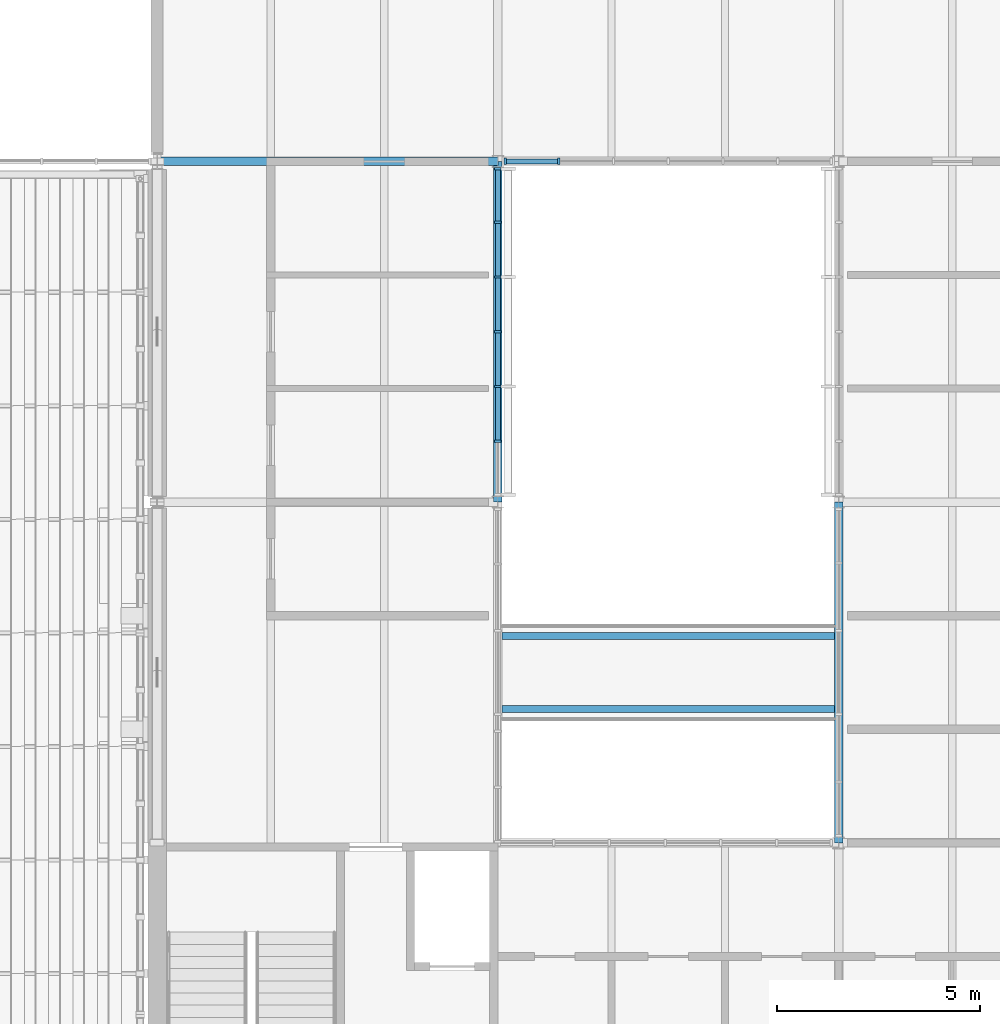
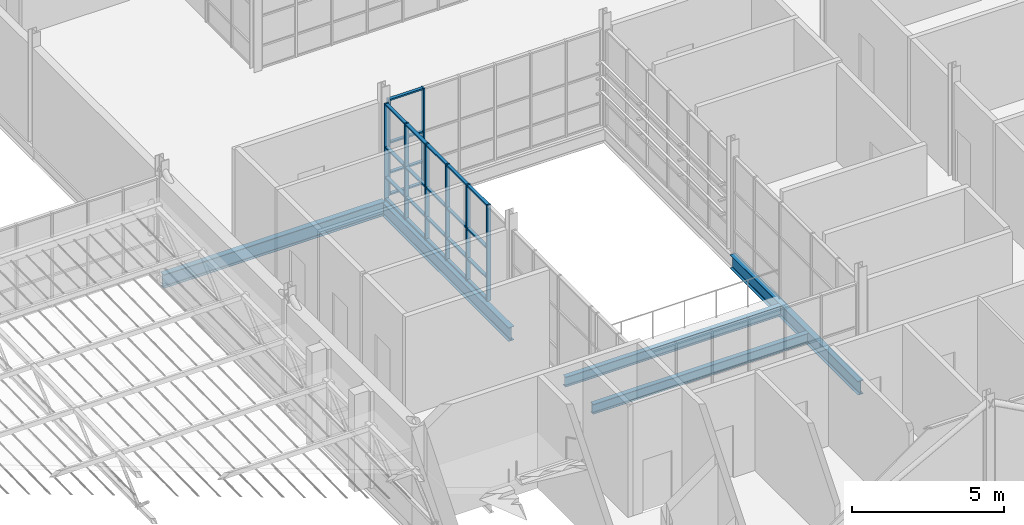
# One storey, part 40 of 129: 32 members, 5 beams, 2 elements without a shape of their own.
"""IFC4 building model written with IfcOpenShell, lengths in metres."""

from ifc_helpers import new_model, si_unit, direction, frame, origin, origin_2d, place, context, subcontext, project, spatial, rectangle, i_section, extrude, material, layer, layer_set, material_profile, profile_set, type_object, element, aggregate, save


model = new_model("IFC4")

# Units and contexts
model_context = context("Model", 3, precision=1e-05, world=origin(), true_north=direction((0.0, 1.0)))
body_context = subcontext(model_context, "Body", "Model", "MODEL_VIEW")
ifc_project = project(units=[si_unit("LENGTHUNIT", "METRE"), si_unit("AREAUNIT", "SQUARE_METRE"), si_unit("VOLUMEUNIT", "CUBIC_METRE"), si_unit("PLANEANGLEUNIT", "RADIAN"), si_unit("MASSUNIT", "GRAM", prefix="KILO")], contexts=[model_context])

# Site, building, storey
site_placement = place(None, origin())
site = spatial("IfcSite", under=ifc_project, at=site_placement, CompositionType="ELEMENT")
building_placement = place(site_placement, origin())
building = spatial("IfcBuilding", under=site, at=building_placement, Name="Ardhachandra Cancer Care Centre", CompositionType="ELEMENT")
storey_placement = place(building_placement, frame((0.0, 0.0, 4.5)))
storey = spatial("IfcBuildingStorey", under=building, at=storey_placement, Name="L01", CompositionType="ELEMENT", Elevation=4.5)

# Beams
ifc_material_1 = material(Name="Steel E350 (IS 2062)", Category="steel")
ifc_material_profile_1 = material_profile(ifc_material_1, i_section(OverallWidth=0.2099609375, OverallDepth=0.550048828125, WebThickness=0.010986328125, FlangeThickness=0.01708984375, FilletRadius=0.02392578125, at=origin_2d()), Name="NPB 550x210x105.52")
ifc_profile_set_1 = profile_set([ifc_material_profile_1], Name="Steel E350 (IS 2062)")
beam_type_1 = type_object("IfcBeamType", Name="Beam NPB 550x210x105.52", PredefinedType="BEAM", material=ifc_profile_set_1)
beam_1_placement = place(storey_placement, frame((111.60009765625, 54.60009765625, -0.425048828125), z_axis=(1.0, 0.0, 0.0), x_axis=(0.0, 1.0, 0.0)))
element("IfcBeam", 1, at=beam_1_placement, inside=storey, type_object=beam_type_1, Name="Girder F13-F14", PredefinedType="BEAM", context=body_context, shape_type="SweptSolid", body=[
    extrude(i_section(OverallWidth=0.2099609375, OverallDepth=0.550048828125, WebThickness=0.010986328125, FlangeThickness=0.01708984375, FilletRadius=0.02392578125, at=origin_2d()), origin(), (0.0, 0.0, 1.0), 8.39990234375),
])
beam_2_placement = place(storey_placement, frame((120.0, 46.199951171875, -0.425048828125), z_axis=(0.0, 1.0, 0.0), x_axis=(-1.0, 0.0, 0.0)))
element("IfcBeam", 2, at=beam_2_placement, inside=storey, type_object=beam_type_1, Name="Girder E14-F14", PredefinedType="BEAM", context=body_context, shape_type="SweptSolid", body=[
    extrude(i_section(OverallWidth=0.2099609375, OverallDepth=0.550048828125, WebThickness=0.010986328125, FlangeThickness=0.01708984375, FilletRadius=0.02392578125, at=origin_2d()), origin(), (0.0, 0.0, 1.0), 8.400146484375),
])
beam_3_placement = place(storey_placement, frame((128.39990234375, 37.800048828125, -0.425048828125), z_axis=(0.0, 1.0, 0.0), x_axis=(-1.0, 0.0, 0.0)))
element("IfcBeam", 3, at=beam_3_placement, inside=storey, type_object=beam_type_1, Name="Girder D15-E15", PredefinedType="BEAM", context=body_context, shape_type="SweptSolid", body=[
    extrude(i_section(OverallWidth=0.2099609375, OverallDepth=0.550048828125, WebThickness=0.010986328125, FlangeThickness=0.01708984375, FilletRadius=0.02392578125, at=origin_2d()), origin(), (0.0, 0.0, 1.0), 8.39990234375),
])
ifc_material_2 = material(Name="Steel E350 (IS 2062)", Category="steel")
ifc_material_profile_2 = material_profile(ifc_material_2, i_section(OverallWidth=0.179931640625, OverallDepth=0.39990234375, WebThickness=0.008544921875, FlangeThickness=0.013427734375, FilletRadius=0.02099609375, at=origin_2d()), Name="NPB 400x180x66.30")
ifc_profile_set_2 = profile_set([ifc_material_profile_2], Name="Steel E350 (IS 2062)")
beam_type_2 = type_object("IfcBeamType", Name="Bridge beam NPB 400x180x66.30", PredefinedType="BEAM", material=ifc_profile_set_2)
for number, where, z_axis, x_axis, name in (
    (4, (120.10498046875, 41.10009765625, -0.35009765625), (1.0, 0.0, 0.0), (0.0, 1.0, 0.0), "Bridge beam BR-LC1-L01 south"),
    (5, (120.10498046875, 42.89990234375, -0.35009765625), (1.0, 0.0, 0.0), (0.0, 1.0, 0.0), "Bridge beam BR-LC1-L01 north"),
):
    element("IfcBeam", number, at=place(storey_placement, frame(where, z_axis=z_axis, x_axis=x_axis)), inside=storey, type_object=beam_type_2, Name=name, PredefinedType="BEAM", context=body_context, shape_type="SweptSolid", body=[
        extrude(i_section(OverallWidth=0.179931640625, OverallDepth=0.39990234375, WebThickness=0.008544921875, FlangeThickness=0.013427734375, FilletRadius=0.02099609375, at=origin_2d()), origin(), (0.0, 0.0, 1.0), 8.18994140625),
    ])

# Curtain wall, members
ifc_material_3 = material(Name="Aluminium extrusion", Category="aluminium")
ifc_layer = layer(ifc_material_3, 0.14990234375)
ifc_layer_set = layer_set([ifc_layer], Name="Aluminium extrusion")
curtain_wall_type = type_object("IfcCurtainWallType", Name="Curtain wall run", PredefinedType="NOTDEFINED", material=ifc_layer_set)
curtain_wall_1_placement = place(storey_placement, origin())
curtain_wall_1 = element("IfcCurtainWall", 6, at=curtain_wall_1_placement, inside=storey, type_object=curtain_wall_type, Name="Curtain wall L01 e/0120000_0046200", PredefinedType="NOTDEFINED")
ifc_material_4 = material(Name="Aluminium extrusion", Category="aluminium")
ifc_material_profile_3 = material_profile(ifc_material_4, rectangle(XDim=0.159912109375, YDim=0.06005859375, at=origin_2d()), Name="Curtain wall mullion 60 x 160")
ifc_profile_set_3 = profile_set([ifc_material_profile_3], Name="Aluminium extrusion")
member_type_1 = type_object("IfcMemberType", Name="Curtain wall mullion 60 x 160", PredefinedType="MULLION", material=ifc_profile_set_3)
member_1_placement = place(storey_placement, frame((120.0, 47.699951171875, 0.0), z_axis=(0.0, 0.0, 1.0), x_axis=(-1.0, 0.0, 0.0)))
member_1 = element("IfcMember", 7, at=member_1_placement, type_object=member_type_1, Name="CW mullion 2", PredefinedType="MULLION", context=body_context, shape_type="SweptSolid", body=[
    extrude(rectangle(XDim=0.159912109375, YDim=0.06005859375, at=origin_2d()), origin(), (0.0, 0.0, 1.0), 3.85009765625),
])
member_2_placement = place(storey_placement, frame((120.0, 49.050048828125, 0.0), z_axis=(0.0, 0.0, 1.0), x_axis=(-1.0, 0.0, 0.0)))
member_2 = element("IfcMember", 8, at=member_2_placement, type_object=member_type_1, Name="CW mullion 3", PredefinedType="MULLION", context=body_context, shape_type="SweptSolid", body=[
    extrude(rectangle(XDim=0.159912109375, YDim=0.06005859375, at=origin_2d()), origin(), (0.0, 0.0, 1.0), 3.85009765625),
])
member_3_placement = place(storey_placement, frame((120.0, 50.39990234375, 0.0), z_axis=(0.0, 0.0, 1.0), x_axis=(-1.0, 0.0, 0.0)))
member_3 = element("IfcMember", 9, at=member_3_placement, type_object=member_type_1, Name="CW mullion 4", PredefinedType="MULLION", context=body_context, shape_type="SweptSolid", body=[
    extrude(rectangle(XDim=0.159912109375, YDim=0.06005859375, at=origin_2d()), origin(), (0.0, 0.0, 1.0), 3.85009765625),
])
member_4_placement = place(storey_placement, frame((120.0, 51.75, 0.0), z_axis=(0.0, 0.0, 1.0), x_axis=(-1.0, 0.0, 0.0)))
member_4 = element("IfcMember", 10, at=member_4_placement, type_object=member_type_1, Name="CW mullion 5", PredefinedType="MULLION", context=body_context, shape_type="SweptSolid", body=[
    extrude(rectangle(XDim=0.159912109375, YDim=0.06005859375, at=origin_2d()), origin(), (0.0, 0.0, 1.0), 3.85009765625),
])
member_5_placement = place(storey_placement, frame((120.0, 53.10009765625, 0.0), z_axis=(0.0, 0.0, 1.0), x_axis=(-1.0, 0.0, 0.0)))
member_5 = element("IfcMember", 11, at=member_5_placement, type_object=member_type_1, Name="CW mullion 6", PredefinedType="MULLION", context=body_context, shape_type="SweptSolid", body=[
    extrude(rectangle(XDim=0.159912109375, YDim=0.06005859375, at=origin_2d()), origin(), (0.0, 0.0, 1.0), 3.85009765625),
])
member_6_placement = place(storey_placement, frame((120.0, 54.419921875, 0.0), z_axis=(0.0, 0.0, 1.0), x_axis=(-1.0, 0.0, 0.0)))
member_6 = element("IfcMember", 12, at=member_6_placement, type_object=member_type_1, Name="CW mullion 7", PredefinedType="MULLION", context=body_context, shape_type="SweptSolid", body=[
    extrude(rectangle(XDim=0.159912109375, YDim=0.06005859375, at=origin_2d()), origin(), (0.0, 0.0, 1.0), 3.85009765625),
])

curtain_wall_2_placement = place(storey_placement, origin())
curtain_wall_2 = element("IfcCurtainWall", 13, at=curtain_wall_2_placement, inside=storey, type_object=curtain_wall_type, Name="Curtain wall L01 s/0120000_0054600", PredefinedType="NOTDEFINED")
member_7_placement = place(storey_placement, frame((120.179931640625, 54.60009765625, 0.0), z_axis=(0.0, 0.0, 1.0), x_axis=(0.0, 1.0, 0.0)))
member_7 = element("IfcMember", 14, at=member_7_placement, type_object=member_type_1, Name="CW mullion 1", PredefinedType="MULLION", context=body_context, shape_type="SweptSolid", body=[
    extrude(rectangle(XDim=0.159912109375, YDim=0.06005859375, at=origin_2d()), origin(), (0.0, 0.0, 1.0), 3.85009765625),
])
member_8_placement = place(storey_placement, frame((121.5, 54.60009765625, 0.0), z_axis=(0.0, 0.0, 1.0), x_axis=(0.0, 1.0, 0.0)))
member_8 = element("IfcMember", 15, at=member_8_placement, type_object=member_type_1, Name="CW mullion 2", PredefinedType="MULLION", context=body_context, shape_type="SweptSolid", body=[
    extrude(rectangle(XDim=0.159912109375, YDim=0.06005859375, at=origin_2d()), origin(), (0.0, 0.0, 1.0), 3.85009765625),
])

# Member
ifc_material_5 = material(Name="Aluminium extrusion", Category="aluminium")
ifc_material_profile_4 = material_profile(ifc_material_5, rectangle(XDim=0.1201171875, YDim=0.06005859375, at=origin_2d()), Name="Curtain wall transom 60 x 120")
ifc_profile_set_4 = profile_set([ifc_material_profile_4], Name="Aluminium extrusion")
member_type_2 = type_object("IfcMemberType", Name="Curtain wall transom 60 x 120", PredefinedType="USERDEFINED", material=ifc_profile_set_4)
member_9_placement = place(storey_placement, frame((120.0, 47.72998046875, 0.030029296875), z_axis=(0.0, 1.0, 0.0), x_axis=(-1.0, 0.0, 0.0)))
member_9 = element("IfcMember", 16, at=member_9_placement, type_object=member_type_2, Name="CW transom 2.1", ObjectType="TRANSOM", PredefinedType="USERDEFINED", context=body_context, shape_type="SweptSolid", body=[
    extrude(rectangle(XDim=0.1201171875, YDim=0.06005859375, at=origin_2d()), origin(), (0.0, 0.0, 1.0), 1.2900390625),
])

member_10_placement = place(storey_placement, frame((120.0, 47.72998046875, 0.89990234375), z_axis=(0.0, 1.0, 0.0), x_axis=(-1.0, 0.0, 0.0)))
member_10 = element("IfcMember", 17, at=member_10_placement, type_object=member_type_2, Name="CW transom 2.2", ObjectType="TRANSOM", PredefinedType="USERDEFINED", context=body_context, shape_type="SweptSolid", body=[
    extrude(rectangle(XDim=0.1201171875, YDim=0.06005859375, at=origin_2d()), origin(), (0.0, 0.0, 1.0), 1.2900390625),
])

member_11_placement = place(storey_placement, frame((120.0, 47.72998046875, 2.10009765625), z_axis=(0.0, 1.0, 0.0), x_axis=(-1.0, 0.0, 0.0)))
member_11 = element("IfcMember", 18, at=member_11_placement, type_object=member_type_2, Name="CW transom 2.3", ObjectType="TRANSOM", PredefinedType="USERDEFINED", context=body_context, shape_type="SweptSolid", body=[
    extrude(rectangle(XDim=0.1201171875, YDim=0.06005859375, at=origin_2d()), origin(), (0.0, 0.0, 1.0), 1.2900390625),
])

member_12_placement = place(storey_placement, frame((120.0, 47.72998046875, 3.820068359375), z_axis=(0.0, 1.0, 0.0), x_axis=(-1.0, 0.0, 0.0)))
member_12 = element("IfcMember", 19, at=member_12_placement, type_object=member_type_2, Name="CW transom 2.4", ObjectType="TRANSOM", PredefinedType="USERDEFINED", context=body_context, shape_type="SweptSolid", body=[
    extrude(rectangle(XDim=0.1201171875, YDim=0.06005859375, at=origin_2d()), origin(), (0.0, 0.0, 1.0), 1.2900390625),
])

member_13_placement = place(storey_placement, frame((120.0, 49.080078125, 0.030029296875), z_axis=(0.0, 1.0, 0.0), x_axis=(-1.0, 0.0, 0.0)))
member_13 = element("IfcMember", 20, at=member_13_placement, type_object=member_type_2, Name="CW transom 3.1", ObjectType="TRANSOM", PredefinedType="USERDEFINED", context=body_context, shape_type="SweptSolid", body=[
    extrude(rectangle(XDim=0.1201171875, YDim=0.06005859375, at=origin_2d()), origin(), (0.0, 0.0, 1.0), 1.2900390625),
])

member_14_placement = place(storey_placement, frame((120.0, 49.080078125, 0.89990234375), z_axis=(0.0, 1.0, 0.0), x_axis=(-1.0, 0.0, 0.0)))
member_14 = element("IfcMember", 21, at=member_14_placement, type_object=member_type_2, Name="CW transom 3.2", ObjectType="TRANSOM", PredefinedType="USERDEFINED", context=body_context, shape_type="SweptSolid", body=[
    extrude(rectangle(XDim=0.1201171875, YDim=0.06005859375, at=origin_2d()), origin(), (0.0, 0.0, 1.0), 1.2900390625),
])

member_15_placement = place(storey_placement, frame((120.0, 49.080078125, 2.10009765625), z_axis=(0.0, 1.0, 0.0), x_axis=(-1.0, 0.0, 0.0)))
member_15 = element("IfcMember", 22, at=member_15_placement, type_object=member_type_2, Name="CW transom 3.3", ObjectType="TRANSOM", PredefinedType="USERDEFINED", context=body_context, shape_type="SweptSolid", body=[
    extrude(rectangle(XDim=0.1201171875, YDim=0.06005859375, at=origin_2d()), origin(), (0.0, 0.0, 1.0), 1.2900390625),
])

member_16_placement = place(storey_placement, frame((120.0, 49.080078125, 3.820068359375), z_axis=(0.0, 1.0, 0.0), x_axis=(-1.0, 0.0, 0.0)))
member_16 = element("IfcMember", 23, at=member_16_placement, type_object=member_type_2, Name="CW transom 3.4", ObjectType="TRANSOM", PredefinedType="USERDEFINED", context=body_context, shape_type="SweptSolid", body=[
    extrude(rectangle(XDim=0.1201171875, YDim=0.06005859375, at=origin_2d()), origin(), (0.0, 0.0, 1.0), 1.2900390625),
])

member_17_placement = place(storey_placement, frame((120.0, 50.429931640625, 0.030029296875), z_axis=(0.0, 1.0, 0.0), x_axis=(-1.0, 0.0, 0.0)))
member_17 = element("IfcMember", 24, at=member_17_placement, type_object=member_type_2, Name="CW transom 4.1", ObjectType="TRANSOM", PredefinedType="USERDEFINED", context=body_context, shape_type="SweptSolid", body=[
    extrude(rectangle(XDim=0.1201171875, YDim=0.06005859375, at=origin_2d()), origin(), (0.0, 0.0, 1.0), 1.2900390625),
])

member_18_placement = place(storey_placement, frame((120.0, 50.429931640625, 0.89990234375), z_axis=(0.0, 1.0, 0.0), x_axis=(-1.0, 0.0, 0.0)))
member_18 = element("IfcMember", 25, at=member_18_placement, type_object=member_type_2, Name="CW transom 4.2", ObjectType="TRANSOM", PredefinedType="USERDEFINED", context=body_context, shape_type="SweptSolid", body=[
    extrude(rectangle(XDim=0.1201171875, YDim=0.06005859375, at=origin_2d()), origin(), (0.0, 0.0, 1.0), 1.2900390625),
])

member_19_placement = place(storey_placement, frame((120.0, 50.429931640625, 2.10009765625), z_axis=(0.0, 1.0, 0.0), x_axis=(-1.0, 0.0, 0.0)))
member_19 = element("IfcMember", 26, at=member_19_placement, type_object=member_type_2, Name="CW transom 4.3", ObjectType="TRANSOM", PredefinedType="USERDEFINED", context=body_context, shape_type="SweptSolid", body=[
    extrude(rectangle(XDim=0.1201171875, YDim=0.06005859375, at=origin_2d()), origin(), (0.0, 0.0, 1.0), 1.2900390625),
])

member_20_placement = place(storey_placement, frame((120.0, 50.429931640625, 3.820068359375), z_axis=(0.0, 1.0, 0.0), x_axis=(-1.0, 0.0, 0.0)))
member_20 = element("IfcMember", 27, at=member_20_placement, type_object=member_type_2, Name="CW transom 4.4", ObjectType="TRANSOM", PredefinedType="USERDEFINED", context=body_context, shape_type="SweptSolid", body=[
    extrude(rectangle(XDim=0.1201171875, YDim=0.06005859375, at=origin_2d()), origin(), (0.0, 0.0, 1.0), 1.2900390625),
])

member_21_placement = place(storey_placement, frame((120.0, 51.780029296875, 0.030029296875), z_axis=(0.0, 1.0, 0.0), x_axis=(-1.0, 0.0, 0.0)))
member_21 = element("IfcMember", 28, at=member_21_placement, type_object=member_type_2, Name="CW transom 5.1", ObjectType="TRANSOM", PredefinedType="USERDEFINED", context=body_context, shape_type="SweptSolid", body=[
    extrude(rectangle(XDim=0.1201171875, YDim=0.06005859375, at=origin_2d()), origin(), (0.0, 0.0, 1.0), 1.2900390625),
])

member_22_placement = place(storey_placement, frame((120.0, 51.780029296875, 0.89990234375), z_axis=(0.0, 1.0, 0.0), x_axis=(-1.0, 0.0, 0.0)))
member_22 = element("IfcMember", 29, at=member_22_placement, type_object=member_type_2, Name="CW transom 5.2", ObjectType="TRANSOM", PredefinedType="USERDEFINED", context=body_context, shape_type="SweptSolid", body=[
    extrude(rectangle(XDim=0.1201171875, YDim=0.06005859375, at=origin_2d()), origin(), (0.0, 0.0, 1.0), 1.2900390625),
])

member_23_placement = place(storey_placement, frame((120.0, 51.780029296875, 2.10009765625), z_axis=(0.0, 1.0, 0.0), x_axis=(-1.0, 0.0, 0.0)))
member_23 = element("IfcMember", 30, at=member_23_placement, type_object=member_type_2, Name="CW transom 5.3", ObjectType="TRANSOM", PredefinedType="USERDEFINED", context=body_context, shape_type="SweptSolid", body=[
    extrude(rectangle(XDim=0.1201171875, YDim=0.06005859375, at=origin_2d()), origin(), (0.0, 0.0, 1.0), 1.2900390625),
])

member_24_placement = place(storey_placement, frame((120.0, 51.780029296875, 3.820068359375), z_axis=(0.0, 1.0, 0.0), x_axis=(-1.0, 0.0, 0.0)))
member_24 = element("IfcMember", 31, at=member_24_placement, type_object=member_type_2, Name="CW transom 5.4", ObjectType="TRANSOM", PredefinedType="USERDEFINED", context=body_context, shape_type="SweptSolid", body=[
    extrude(rectangle(XDim=0.1201171875, YDim=0.06005859375, at=origin_2d()), origin(), (0.0, 0.0, 1.0), 1.2900390625),
])

member_25_placement = place(storey_placement, frame((120.0, 53.1298828125, 0.030029296875), z_axis=(0.0, 1.0, 0.0), x_axis=(-1.0, 0.0, 0.0)))
member_25 = element("IfcMember", 32, at=member_25_placement, type_object=member_type_2, Name="CW transom 6.1", ObjectType="TRANSOM", PredefinedType="USERDEFINED", context=body_context, shape_type="SweptSolid", body=[
    extrude(rectangle(XDim=0.1201171875, YDim=0.06005859375, at=origin_2d()), origin(), (0.0, 0.0, 1.0), 1.260009765625),
])

member_26_placement = place(storey_placement, frame((120.0, 53.1298828125, 0.89990234375), z_axis=(0.0, 1.0, 0.0), x_axis=(-1.0, 0.0, 0.0)))
member_26 = element("IfcMember", 33, at=member_26_placement, type_object=member_type_2, Name="CW transom 6.2", ObjectType="TRANSOM", PredefinedType="USERDEFINED", context=body_context, shape_type="SweptSolid", body=[
    extrude(rectangle(XDim=0.1201171875, YDim=0.06005859375, at=origin_2d()), origin(), (0.0, 0.0, 1.0), 1.260009765625),
])

member_27_placement = place(storey_placement, frame((120.0, 53.1298828125, 2.10009765625), z_axis=(0.0, 1.0, 0.0), x_axis=(-1.0, 0.0, 0.0)))
member_27 = element("IfcMember", 34, at=member_27_placement, type_object=member_type_2, Name="CW transom 6.3", ObjectType="TRANSOM", PredefinedType="USERDEFINED", context=body_context, shape_type="SweptSolid", body=[
    extrude(rectangle(XDim=0.1201171875, YDim=0.06005859375, at=origin_2d()), origin(), (0.0, 0.0, 1.0), 1.260009765625),
])

member_28_placement = place(storey_placement, frame((120.0, 53.1298828125, 3.820068359375), z_axis=(0.0, 1.0, 0.0), x_axis=(-1.0, 0.0, 0.0)))
member_28 = element("IfcMember", 35, at=member_28_placement, type_object=member_type_2, Name="CW transom 6.4", ObjectType="TRANSOM", PredefinedType="USERDEFINED", context=body_context, shape_type="SweptSolid", body=[
    extrude(rectangle(XDim=0.1201171875, YDim=0.06005859375, at=origin_2d()), origin(), (0.0, 0.0, 1.0), 1.260009765625),
])

aggregate(curtain_wall_1, [member_1, member_2, member_3, member_4, member_5, member_6, member_9, member_10, member_11, member_12, member_13, member_14, member_15, member_16, member_17, member_18, member_19, member_20, member_21, member_22, member_23, member_24, member_25, member_26, member_27, member_28])

member_29_placement = place(storey_placement, frame((120.2099609375, 54.60009765625, 0.030029296875), z_axis=(1.0, 0.0, 0.0), x_axis=(0.0, 1.0, 0.0)))
member_29 = element("IfcMember", 36, at=member_29_placement, type_object=member_type_2, Name="CW transom 1.1", ObjectType="TRANSOM", PredefinedType="USERDEFINED", context=body_context, shape_type="SweptSolid", body=[
    extrude(rectangle(XDim=0.1201171875, YDim=0.06005859375, at=origin_2d()), origin(), (0.0, 0.0, 1.0), 1.260009765625),
])

member_30_placement = place(storey_placement, frame((120.2099609375, 54.60009765625, 0.89990234375), z_axis=(1.0, 0.0, 0.0), x_axis=(0.0, 1.0, 0.0)))
member_30 = element("IfcMember", 37, at=member_30_placement, type_object=member_type_2, Name="CW transom 1.2", ObjectType="TRANSOM", PredefinedType="USERDEFINED", context=body_context, shape_type="SweptSolid", body=[
    extrude(rectangle(XDim=0.1201171875, YDim=0.06005859375, at=origin_2d()), origin(), (0.0, 0.0, 1.0), 1.260009765625),
])

member_31_placement = place(storey_placement, frame((120.2099609375, 54.60009765625, 2.10009765625), z_axis=(1.0, 0.0, 0.0), x_axis=(0.0, 1.0, 0.0)))
member_31 = element("IfcMember", 38, at=member_31_placement, type_object=member_type_2, Name="CW transom 1.3", ObjectType="TRANSOM", PredefinedType="USERDEFINED", context=body_context, shape_type="SweptSolid", body=[
    extrude(rectangle(XDim=0.1201171875, YDim=0.06005859375, at=origin_2d()), origin(), (0.0, 0.0, 1.0), 1.260009765625),
])

member_32_placement = place(storey_placement, frame((120.2099609375, 54.60009765625, 3.820068359375), z_axis=(1.0, 0.0, 0.0), x_axis=(0.0, 1.0, 0.0)))
member_32 = element("IfcMember", 39, at=member_32_placement, type_object=member_type_2, Name="CW transom 1.4", ObjectType="TRANSOM", PredefinedType="USERDEFINED", context=body_context, shape_type="SweptSolid", body=[
    extrude(rectangle(XDim=0.1201171875, YDim=0.06005859375, at=origin_2d()), origin(), (0.0, 0.0, 1.0), 1.260009765625),
])

aggregate(curtain_wall_2, [member_7, member_8, member_29, member_30, member_31, member_32])

save(model, "model.ifc")
